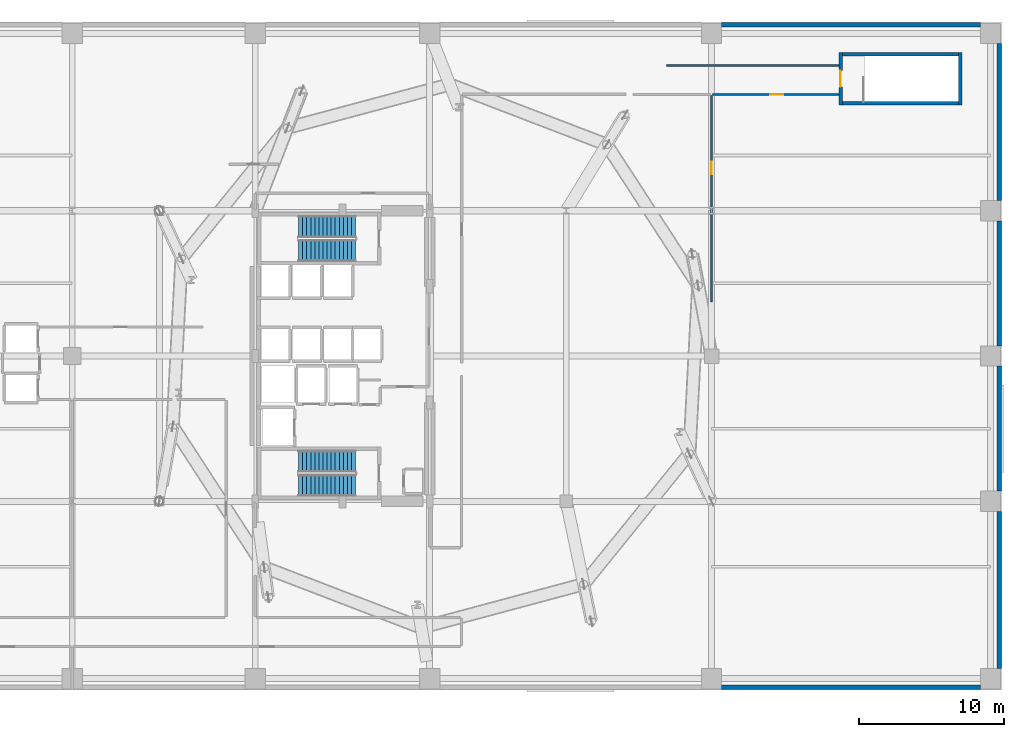
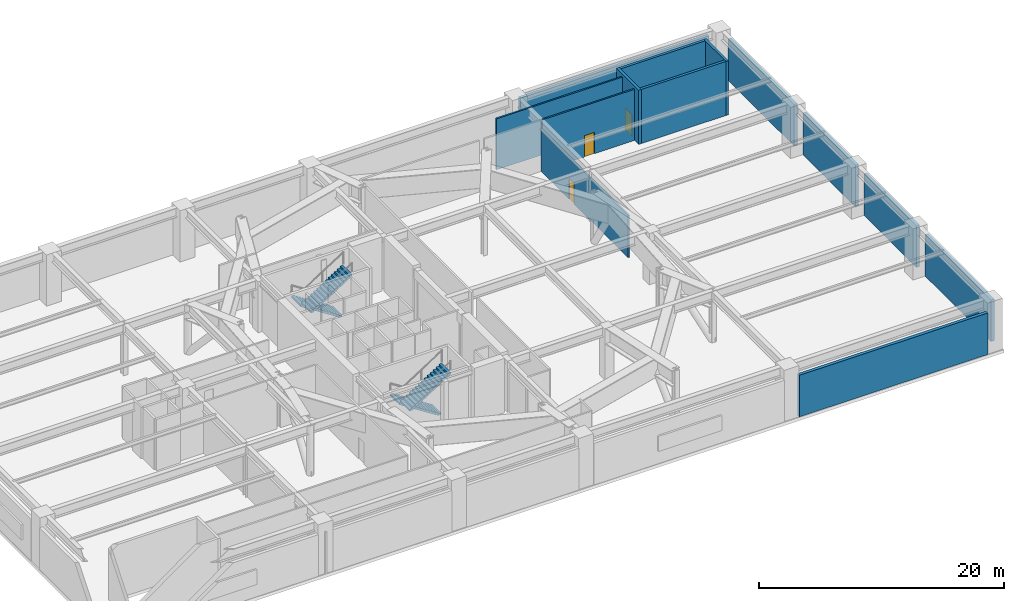
# One storey, part 9 of 12: 13 walls, 4 stair flights, 3 doors, 3 openings, 2 elements without a shape of their own.
"""IFC4 building model written with IfcOpenShell, lengths in metres."""

from ifc_helpers import new_model, si_unit, direction, frame, frame_2d, origin, place, context, subcontext, project, spatial, polyline, rectangle, outline, extrude, material, layer, layer_set, type_object, element, fill, aggregate, save


model = new_model("IFC4")

# Units and contexts
model_context = context("Model", 3, precision=1e-05, world=origin(), true_north=direction((0.0, 1.0)))
body_context = subcontext(model_context, "Body", "Model", "MODEL_VIEW")
ifc_project = project(units=[si_unit("LENGTHUNIT", "METRE"), si_unit("AREAUNIT", "SQUARE_METRE"), si_unit("VOLUMEUNIT", "CUBIC_METRE"), si_unit("PLANEANGLEUNIT", "RADIAN"), si_unit("MASSUNIT", "GRAM", prefix="KILO")], contexts=[model_context])

# Site, building, storey
site_placement = place(None, origin())
site = spatial("IfcSite", under=ifc_project, at=site_placement, CompositionType="ELEMENT")
building_placement = place(site_placement, origin())
building = spatial("IfcBuilding", under=site, at=building_placement, Name="Soratama Intermodal Tower", CompositionType="ELEMENT")
storey_placement = place(building_placement, frame((0.0, 0.0, 25.199951171875)))
storey = spatial("IfcBuildingStorey", under=building, at=storey_placement, Name="L05", CompositionType="ELEMENT", Elevation=25.199951171875)

# Walls
ifc_material_1 = material(Name="Concrete f'c 42 MPa", Category="concrete")
ifc_layer_1 = layer(ifc_material_1, 0.300048828125)
ifc_layer_set_1 = layer_set([ifc_layer_1], Name="Concrete f'c 42 MPa")
wall_type_1 = type_object("IfcWallType", Name="EW-STONE-300", PredefinedType="SOLIDWALL", material=ifc_layer_set_1)
for number, where, z_axis, x_axis, name in (
    (1, (64.699951171875, 47.800048828125, 0.0), (0.0, 0.0, 1.0), (1.0, 0.0, 0.0), "L05 Transfer Plant Wall N5"),
    (2, (82.5, 2.199951171875, 0.0), (0.0, 0.0, 1.0), (-1.0, 0.0, 0.0), "L05 Transfer Plant Wall S5"),
):
    element("IfcWall", number, at=place(storey_placement, frame(where, z_axis=z_axis, x_axis=x_axis)), inside=storey, type_object=wall_type_1, Name=name, PredefinedType="SOLIDWALL", context=body_context, shape_type="SweptSolid", body=[
        extrude(rectangle(XDim=17.800048828125, YDim=0.300048828125, at=frame_2d((8.89990234375, 0.0))), origin(), (0.0, 0.0, 1.0), 4.156005859375),
    ])
wall_1_placement = place(storey_placement, frame((83.800048828125, 14.300048828125, 0.0), z_axis=(0.0, 0.0, 1.0), x_axis=(0.0, -1.0, 0.0)))
element("IfcWall", 3, at=wall_1_placement, inside=storey, type_object=wall_type_1, Name="L05 Transfer Plant Wall E1", PredefinedType="SOLIDWALL", context=body_context, shape_type="SweptSolid", body=[
    extrude(rectangle(XDim=10.800048828125, YDim=0.300048828125, at=frame_2d((5.39990234375, 0.0))), origin(), (0.0, 0.0, 1.0), 4.156005859375),
])
for number, where, z_axis, x_axis, name in (
    (4, (83.800048828125, 24.300048828125, 0.0), (0.0, 0.0, 1.0), (0.0, -1.0, 0.0), "L05 Transfer Plant Wall E2"),
    (5, (83.800048828125, 34.300048828125, 0.0), (0.0, 0.0, 1.0), (0.0, -1.0, 0.0), "L05 Transfer Plant Wall E3"),
):
    element("IfcWall", number, at=place(storey_placement, frame(where, z_axis=z_axis, x_axis=x_axis)), inside=storey, type_object=wall_type_1, Name=name, PredefinedType="SOLIDWALL", context=body_context, shape_type="SweptSolid", body=[
        extrude(rectangle(XDim=8.60009765625, YDim=0.300048828125, at=frame_2d((4.300048828125, 0.0))), origin(), (0.0, 0.0, 1.0), 4.156005859375),
    ])
wall_2_placement = place(storey_placement, frame((83.800048828125, 46.5, 0.0), z_axis=(0.0, 0.0, 1.0), x_axis=(0.0, -1.0, 0.0)))
element("IfcWall", 6, at=wall_2_placement, inside=storey, type_object=wall_type_1, Name="L05 Transfer Plant Wall E4", PredefinedType="SOLIDWALL", context=body_context, shape_type="SweptSolid", body=[
    extrude(rectangle(XDim=10.800048828125, YDim=0.300048828125, at=frame_2d((5.39990234375, 0.0))), origin(), (0.0, 0.0, 1.0), 4.156005859375),
])

# Wall, opening, door
ifc_material_2 = material(Name="Fire-rated gypsum stud partition", Category="concrete")
ifc_layer_2 = layer(ifc_material_2, 0.14990234375)
ifc_layer_set_2 = layer_set([ifc_layer_2], Name="Fire-rated gypsum stud partition")
wall_type_2 = type_object("IfcWallType", Name="IW-PART-R150", PredefinedType="PARTITIONING", material=ifc_layer_set_2)
wall_3_placement = place(storey_placement, frame((72.8798828125, 43.0, 0.0), z_axis=(0.0, 0.0, 1.0), x_axis=(-1.0, 0.0, 0.0)))
wall_3 = element("IfcWall", 7, at=wall_3_placement, inside=storey, type_object=wall_type_2, Name="L05 Partition W-L05-TP007", PredefinedType="PARTITIONING", context=body_context, shape_type="SweptSolid", body=[
    extrude(rectangle(XDim=8.809814453125, YDim=0.14990234375, at=frame_2d((4.40478515625, 0.0))), origin(), (0.0, 0.0, 1.0), 5.10009765625),
])
opening_1_placement = place(wall_3_placement, frame((3.929931640625, 0.0, 0.0)))
opening_1 = element("IfcOpeningElement", 8, at=opening_1_placement, cuts=wall_3, Name="Opening ID-6", PredefinedType="OPENING", context=body_context, shape_type="SweptSolid", body=[
    extrude(rectangle(XDim=0.919921875, YDim=2.1201171875, at=frame_2d((0.4599609375, 1.06005859375))), frame((0.0, 0.0849609375, 0.0), z_axis=(0.0, -1.0, 0.0), x_axis=(1.0, 0.0, 0.0)), (0.0, 0.0, 1.0), 0.169921875),
])
ifc_material_3 = material(Name="Solid hardwood acoustic door", Category="wood")
door_type_1 = type_object("IfcDoorType", Name="DR-ROOM-920", OperationType="NOTDEFINED", PredefinedType="DOOR", material=ifc_material_3)
door_1_placement = place(opening_1_placement, origin())
door_1 = element("IfcDoor", 9, at=door_1_placement, inside=storey, type_object=door_type_1, Name="L05 Door D-L05-TP004", OperationType="SINGLE_SWING_LEFT", OverallHeight=2.1201171875, OverallWidth=0.919921875, PredefinedType="DOOR", context=body_context, shape_type="SweptSolid", body=[
    extrude(rectangle(XDim=0.919921875, YDim=2.1201171875, at=frame_2d((0.4599609375, 1.06005859375))), frame((0.0, 0.02490234375, 0.0), z_axis=(0.0, -1.0, 0.0), x_axis=(1.0, 0.0, 0.0)), (0.0, 0.0, 1.0), 0.050048828125),
])
fill(opening_1, door_1)

wall_4_placement = place(storey_placement, frame((64.0, 42.929931640625, 0.0), z_axis=(0.0, 0.0, 1.0), x_axis=(0.0, -1.0, 0.0)))
wall_4 = element("IfcWall", 10, at=wall_4_placement, inside=storey, type_object=wall_type_2, Name="L05 Partition W-L05-TP024", PredefinedType="PARTITIONING", context=body_context, shape_type="SweptSolid", body=[
    extrude(rectangle(XDim=14.22900390625, YDim=0.14990234375, at=frame_2d((7.114501953125, 0.0))), origin(), (0.0, 0.0, 1.0), 4.22216796875),
])
opening_2_placement = place(wall_4_placement, frame((4.554931640625, 0.0, 0.0)))
opening_2 = element("IfcOpeningElement", 11, at=opening_2_placement, cuts=wall_4, Name="Opening ID-4", PredefinedType="OPENING", context=body_context, shape_type="SweptSolid", body=[
    extrude(rectangle(XDim=0.85009765625, YDim=2.10009765625, at=frame_2d((0.425048828125, 1.050048828125))), frame((0.0, 0.0849609375, 0.0), z_axis=(0.0, -1.0, 0.0), x_axis=(1.0, 0.0, 0.0)), (0.0, 0.0, 1.0), 0.169921875),
])
ifc_material_4 = material(Name="Solid hardwood acoustic door", Category="wood")
door_type_2 = type_object("IfcDoorType", Name="DR-BATH-850", OperationType="NOTDEFINED", PredefinedType="DOOR", material=ifc_material_4)
door_2_placement = place(opening_2_placement, origin())
door_2 = element("IfcDoor", 12, at=door_2_placement, inside=storey, type_object=door_type_2, Name="L05 Door D-L05-TP011", OperationType="SINGLE_SWING_LEFT", OverallHeight=2.10009765625, OverallWidth=0.85009765625, PredefinedType="DOOR", context=body_context, shape_type="SweptSolid", body=[
    extrude(rectangle(XDim=0.85009765625, YDim=2.10009765625, at=frame_2d((0.425048828125, 1.050048828125))), frame((0.0, 0.02490234375, 0.0), z_axis=(0.0, -1.0, 0.0), x_axis=(1.0, 0.0, 0.0)), (0.0, 0.0, 1.0), 0.050048828125),
])
fill(opening_2, door_2)

# Wall
wall_5_placement = place(storey_placement, frame((60.883056640625, 45.0, 0.0), z_axis=(0.0, 0.0, 1.0), x_axis=(1.0, 0.0, 0.0)))
element("IfcWall", 13, at=wall_5_placement, inside=storey, type_object=wall_type_2, Name="L05 Partition W-L05-TP025", PredefinedType="PARTITIONING", context=body_context, shape_type="SweptSolid", body=[
    extrude(rectangle(XDim=11.996826171875, YDim=0.14990234375, at=frame_2d((5.99853515625, 0.0))), origin(), (0.0, 0.0, 1.0), 5.10009765625),
])

# Wall, opening, door
ifc_material_5 = material(Name="Concrete f'c 56 MPa", Category="concrete")
ifc_layer_3 = layer(ifc_material_5, 0.239990234375)
ifc_layer_set_3 = layer_set([ifc_layer_3], Name="Concrete f'c 56 MPa")
wall_type_3 = type_object("IfcWallType", Name="SW-STAIR-240", PredefinedType="SHEAR", material=ifc_layer_set_3)
wall_6_placement = place(storey_placement, frame((72.8798828125, 42.260009765625, 0.0), z_axis=(0.0, 0.0, 1.0), x_axis=(0.0, 1.0, 0.0)))
wall_6 = element("IfcWall", 14, at=wall_6_placement, inside=storey, type_object=wall_type_3, Name="L05 ST-4 Shaft Shear Wall W", PredefinedType="SHEAR", context=body_context, shape_type="SweptSolid", body=[
    extrude(rectangle(XDim=3.6298828125, YDim=0.239990234375, at=frame_2d((1.81494140625, 0.0))), origin(), (0.0, 0.0, 1.0), 5.400146484375),
])
opening_3_placement = place(wall_6_placement, frame((1.2548828125, 0.0, 0.0)))
opening_3 = element("IfcOpeningElement", 15, at=opening_3_placement, cuts=wall_6, Name="Opening SD-1", PredefinedType="OPENING", context=body_context, shape_type="SweptSolid", body=[
    extrude(rectangle(XDim=1.1201171875, YDim=2.14990234375, at=frame_2d((0.56005859375, 1.074951171875))), frame((0.0, 0.1298828125, 0.0), z_axis=(0.0, -1.0, 0.0), x_axis=(1.0, 0.0, 0.0)), (0.0, 0.0, 1.0), 0.260009765625),
])
ifc_material_6 = material(Name="Steel fire door", Category="steel")
door_type_3 = type_object("IfcDoorType", Name="DR-STAIR-FD90", OperationType="NOTDEFINED", PredefinedType="DOOR", material=ifc_material_6)
door_3_placement = place(opening_3_placement, origin())
door_3 = element("IfcDoor", 16, at=door_3_placement, inside=storey, type_object=door_type_3, Name="L05 ST-4 Exit Stair Door", OperationType="SINGLE_SWING_RIGHT", OverallHeight=2.14990234375, OverallWidth=1.1201171875, PredefinedType="DOOR", context=body_context, shape_type="SweptSolid", body=[
    extrude(rectangle(XDim=1.1201171875, YDim=2.14990234375, at=frame_2d((0.56005859375, 1.074951171875))), frame((0.0, 0.02490234375, 0.0), z_axis=(0.0, -1.0, 0.0), x_axis=(1.0, 0.0, 0.0)), (0.0, 0.0, 1.0), 0.050048828125),
])
fill(opening_3, door_3)

# Walls
wall_7_placement = place(storey_placement, frame((81.1201171875, 42.260009765625, 0.0), z_axis=(0.0, 0.0, 1.0), x_axis=(0.0, 1.0, 0.0)))
element("IfcWall", 17, at=wall_7_placement, inside=storey, type_object=wall_type_3, Name="L05 ST-4 Shaft Shear Wall E", PredefinedType="SHEAR", context=body_context, shape_type="SweptSolid", body=[
    extrude(rectangle(XDim=3.6298828125, YDim=0.239990234375, at=frame_2d((1.81494140625, 0.0))), origin(), (0.0, 0.0, 1.0), 5.400146484375),
])
for number, where, z_axis, x_axis, name in (
    (18, (73.0, 42.3798828125, 0.0), (0.0, 0.0, 1.0), (1.0, 0.0, 0.0), "L05 ST-4 Shaft Shear Wall S"),
    (19, (73.0, 45.77001953125, 0.0), (0.0, 0.0, 1.0), (1.0, 0.0, 0.0), "L05 ST-4 Shaft Shear Wall N"),
):
    element("IfcWall", number, at=place(storey_placement, frame(where, z_axis=z_axis, x_axis=x_axis)), inside=storey, type_object=wall_type_3, Name=name, PredefinedType="SHEAR", context=body_context, shape_type="SweptSolid", body=[
        extrude(rectangle(XDim=8.0, YDim=0.239990234375, at=frame_2d((4.0, 0.0))), origin(), (0.0, 0.0, 1.0), 5.400146484375),
    ])

# Stair, stair flights
ifc_material_7 = material(Name="Concrete f'c 42 MPa", Category="concrete")
stair_type = type_object("IfcStairType", Name="ST-CORE-DOGLEG", PredefinedType="HALF_TURN_STAIR", material=ifc_material_7)
stair_1_placement = place(storey_placement, origin())
stair_1 = element("IfcStair", 20, at=stair_1_placement, inside=storey, type_object=stair_type, Name="L05 ST-1", PredefinedType="HALF_TURN_STAIR")
ifc_material_8 = material(Name="Precast concrete f'c 40 MPa", Category="concrete")
ifc_layer_4 = layer(ifc_material_8, 0.199951171875)
ifc_layer_set_4 = layer_set([ifc_layer_4], Name="Precast concrete f'c 40 MPa")
stair_flight_type = type_object("IfcStairFlightType", Name="SF-FLIGHT-RC", PredefinedType="STRAIGHT", material=ifc_layer_set_4)
stair_flight_1_placement = place(storey_placement, frame((39.5, 17.75, 0.0), z_axis=(0.0, 0.0, 1.0), x_axis=(-1.0, 0.0, 0.0)))
stair_flight_1 = element("IfcStairFlight", 21, at=stair_flight_1_placement, type_object=stair_flight_type, Name="ST-1 flight 1", NumberOfRisers=15, NumberOfTreads=14, PredefinedType="STRAIGHT", RiserHeight=0.18, TreadLength=0.28, context=body_context, shape_type="SweptSolid", body=[
    extrude(outline(polyline([(0.0, 0.0), (0.0, 0.179931640625), (0.280029296875, 0.179931640625), (0.280029296875, 0.360107421875), (0.56005859375, 0.360107421875), (0.56005859375, 0.5400390625), (0.840087890625, 0.5400390625), (0.840087890625, 0.719970703125), (1.1201171875, 0.719970703125), (1.1201171875, 0.89990234375), (1.39990234375, 0.89990234375), (1.39990234375, 1.080078125), (1.679931640625, 1.080078125), (1.679931640625, 1.260009765625), (1.9599609375, 1.260009765625), (1.9599609375, 1.43994140625), (2.239990234375, 1.43994140625), (2.239990234375, 1.6201171875), (2.52001953125, 1.6201171875), (2.52001953125, 1.800048828125), (2.800048828125, 1.800048828125), (2.800048828125, 1.97998046875), (3.080078125, 1.97998046875), (3.080078125, 2.159912109375), (3.360107421875, 2.159912109375), (3.360107421875, 2.340087890625), (3.639892578125, 2.340087890625), (3.639892578125, 2.52001953125), (3.919921875, 2.52001953125), (3.919921875, 2.699951171875), (3.919921875, 2.341796875), (0.277099609375, 0.0), (0.0, 0.0)])), frame((0.0, 0.75, 0.0), z_axis=(0.0, -1.0, 0.0), x_axis=(1.0, 0.0, 0.0)), (0.0, 0.0, 1.0), 1.5),
])
stair_flight_2_placement = place(storey_placement, frame((35.580078125, 16.10009765625, 2.699951171875), z_axis=(0.0, 0.0, 1.0), x_axis=(1.0, 0.0, 0.0)))
stair_flight_2 = element("IfcStairFlight", 22, at=stair_flight_2_placement, type_object=stair_flight_type, Name="ST-1 flight 2", NumberOfRisers=15, NumberOfTreads=14, PredefinedType="STRAIGHT", RiserHeight=0.18, TreadLength=0.28, context=body_context, shape_type="SweptSolid", body=[
    extrude(outline(polyline([(0.0, 0.0), (0.0, 0.179931640625), (0.280029296875, 0.179931640625), (0.280029296875, 0.360107421875), (0.56005859375, 0.360107421875), (0.56005859375, 0.5400390625), (0.840087890625, 0.5400390625), (0.840087890625, 0.719970703125), (1.1201171875, 0.719970703125), (1.1201171875, 0.89990234375), (1.39990234375, 0.89990234375), (1.39990234375, 1.080078125), (1.679931640625, 1.080078125), (1.679931640625, 1.260009765625), (1.9599609375, 1.260009765625), (1.9599609375, 1.43994140625), (2.239990234375, 1.43994140625), (2.239990234375, 1.6201171875), (2.52001953125, 1.6201171875), (2.52001953125, 1.800048828125), (2.800048828125, 1.800048828125), (2.800048828125, 1.97998046875), (3.080078125, 1.97998046875), (3.080078125, 2.159912109375), (3.360107421875, 2.159912109375), (3.360107421875, 2.340087890625), (3.639892578125, 2.340087890625), (3.639892578125, 2.52001953125), (3.919921875, 2.52001953125), (3.919921875, 2.699951171875), (3.919921875, 2.341796875), (0.277099609375, 0.0), (0.0, 0.0)])), frame((0.0, 0.75, 0.0), z_axis=(0.0, -1.0, 0.0), x_axis=(1.0, 0.0, 0.0)), (0.0, 0.0, 1.0), 1.5),
])
aggregate(stair_1, [stair_flight_1, stair_flight_2])

stair_2_placement = place(storey_placement, origin())
stair_2 = element("IfcStair", 23, at=stair_2_placement, inside=storey, type_object=stair_type, Name="L05 ST-2", PredefinedType="HALF_TURN_STAIR")
stair_flight_3_placement = place(storey_placement, frame((39.5, 33.89990234375, 0.0), z_axis=(0.0, 0.0, 1.0), x_axis=(-1.0, 0.0, 0.0)))
stair_flight_3 = element("IfcStairFlight", 24, at=stair_flight_3_placement, type_object=stair_flight_type, Name="ST-2 flight 1", NumberOfRisers=15, NumberOfTreads=14, PredefinedType="STRAIGHT", RiserHeight=0.18, TreadLength=0.28, context=body_context, shape_type="SweptSolid", body=[
    extrude(outline(polyline([(0.0, 0.0), (0.0, 0.179931640625), (0.280029296875, 0.179931640625), (0.280029296875, 0.360107421875), (0.56005859375, 0.360107421875), (0.56005859375, 0.5400390625), (0.840087890625, 0.5400390625), (0.840087890625, 0.719970703125), (1.1201171875, 0.719970703125), (1.1201171875, 0.89990234375), (1.39990234375, 0.89990234375), (1.39990234375, 1.080078125), (1.679931640625, 1.080078125), (1.679931640625, 1.260009765625), (1.9599609375, 1.260009765625), (1.9599609375, 1.43994140625), (2.239990234375, 1.43994140625), (2.239990234375, 1.6201171875), (2.52001953125, 1.6201171875), (2.52001953125, 1.800048828125), (2.800048828125, 1.800048828125), (2.800048828125, 1.97998046875), (3.080078125, 1.97998046875), (3.080078125, 2.159912109375), (3.360107421875, 2.159912109375), (3.360107421875, 2.340087890625), (3.639892578125, 2.340087890625), (3.639892578125, 2.52001953125), (3.919921875, 2.52001953125), (3.919921875, 2.699951171875), (3.919921875, 2.341796875), (0.277099609375, 0.0), (0.0, 0.0)])), frame((0.0, 0.75, 0.0), z_axis=(0.0, -1.0, 0.0), x_axis=(1.0, 0.0, 0.0)), (0.0, 0.0, 1.0), 1.5),
])
stair_flight_4_placement = place(storey_placement, frame((35.580078125, 32.25, 2.699951171875), z_axis=(0.0, 0.0, 1.0), x_axis=(1.0, 0.0, 0.0)))
stair_flight_4 = element("IfcStairFlight", 25, at=stair_flight_4_placement, type_object=stair_flight_type, Name="ST-2 flight 2", NumberOfRisers=15, NumberOfTreads=14, PredefinedType="STRAIGHT", RiserHeight=0.18, TreadLength=0.28, context=body_context, shape_type="SweptSolid", body=[
    extrude(outline(polyline([(0.0, 0.0), (0.0, 0.179931640625), (0.280029296875, 0.179931640625), (0.280029296875, 0.360107421875), (0.56005859375, 0.360107421875), (0.56005859375, 0.5400390625), (0.840087890625, 0.5400390625), (0.840087890625, 0.719970703125), (1.1201171875, 0.719970703125), (1.1201171875, 0.89990234375), (1.39990234375, 0.89990234375), (1.39990234375, 1.080078125), (1.679931640625, 1.080078125), (1.679931640625, 1.260009765625), (1.9599609375, 1.260009765625), (1.9599609375, 1.43994140625), (2.239990234375, 1.43994140625), (2.239990234375, 1.6201171875), (2.52001953125, 1.6201171875), (2.52001953125, 1.800048828125), (2.800048828125, 1.800048828125), (2.800048828125, 1.97998046875), (3.080078125, 1.97998046875), (3.080078125, 2.159912109375), (3.360107421875, 2.159912109375), (3.360107421875, 2.340087890625), (3.639892578125, 2.340087890625), (3.639892578125, 2.52001953125), (3.919921875, 2.52001953125), (3.919921875, 2.699951171875), (3.919921875, 2.341796875), (0.277099609375, 0.0), (0.0, 0.0)])), frame((0.0, 0.75, 0.0), z_axis=(0.0, -1.0, 0.0), x_axis=(1.0, 0.0, 0.0)), (0.0, 0.0, 1.0), 1.5),
])
aggregate(stair_2, [stair_flight_3, stair_flight_4])

save(model, "model.ifc")
